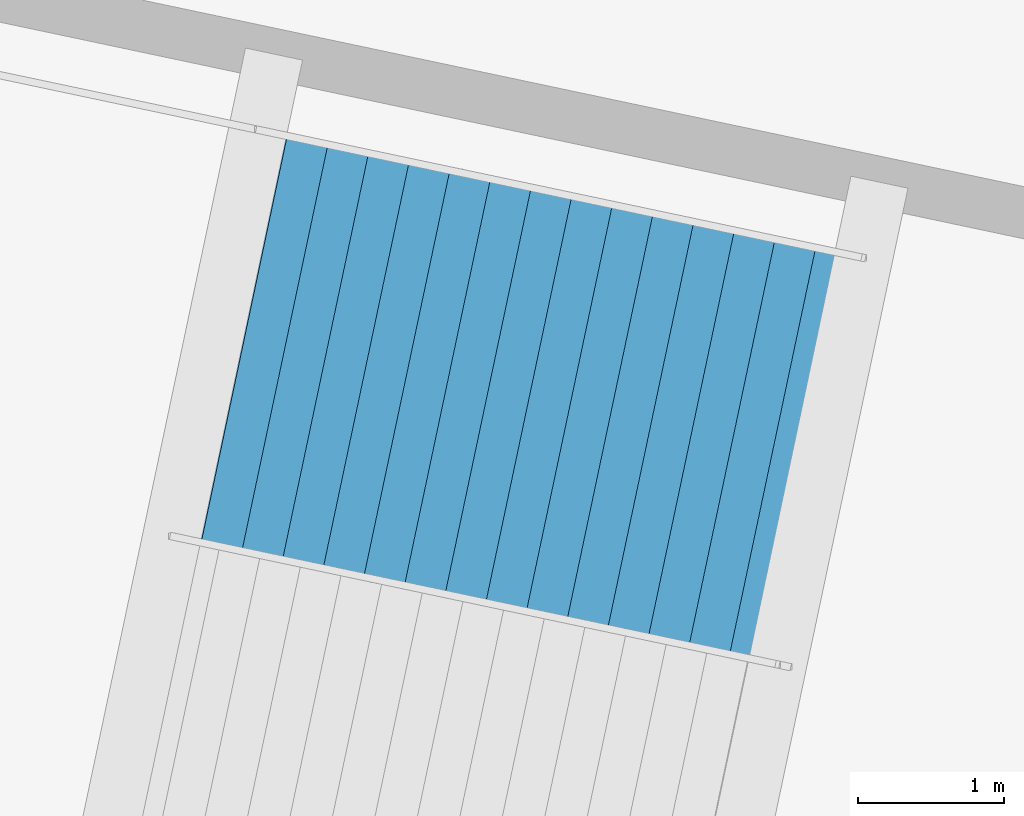
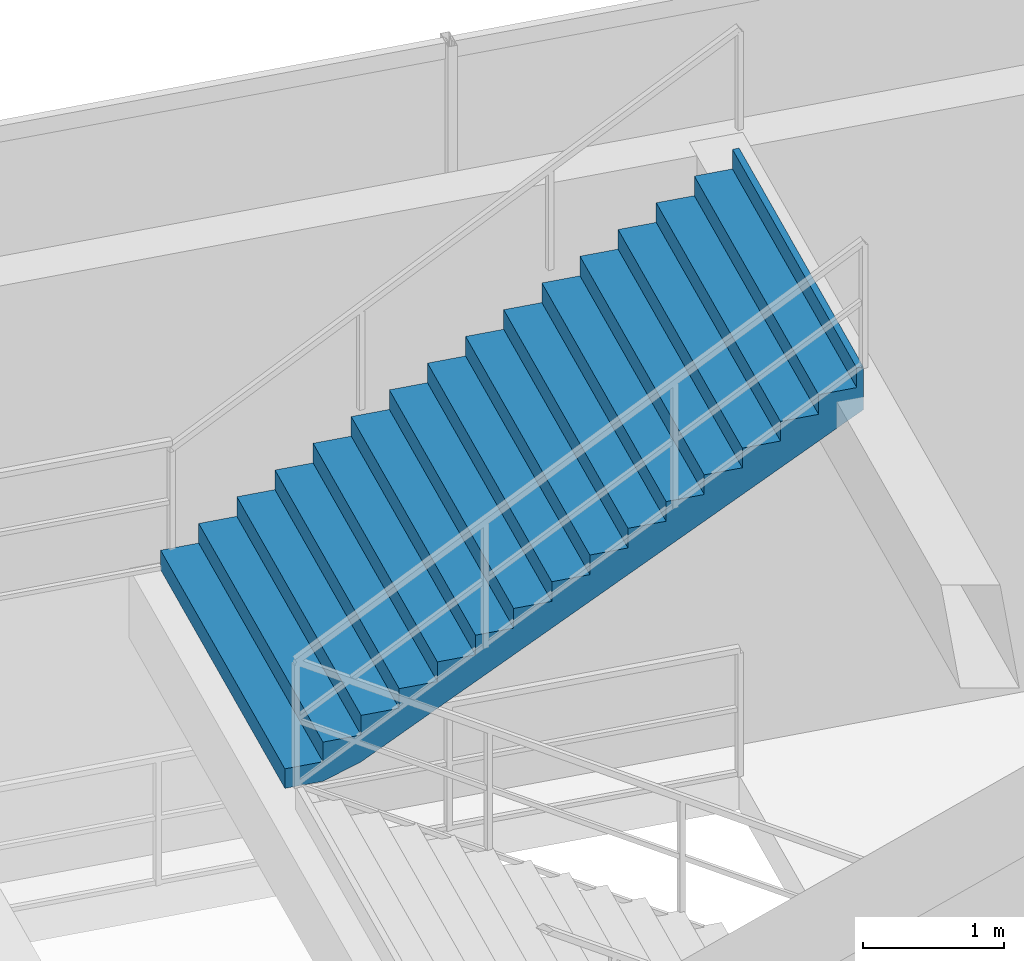
# One storey, part 168 of 186: 1 stair flight, 1 element without a shape of its own.
"""IFC4 building model written with IfcOpenShell, lengths in metres."""

from ifc_helpers import new_model, si_unit, direction, frame, origin, place, context, subcontext, project, spatial, polygons, material, type_object, element, aggregate, save


model = new_model("IFC4")

# Units and contexts
model_context = context("Model", 3, precision=1e-05, world=origin(), true_north=direction((0.0, 1.0)))
body_context = subcontext(model_context, "Body", "Model", "MODEL_VIEW")
ifc_project = project(units=[si_unit("LENGTHUNIT", "METRE"), si_unit("AREAUNIT", "SQUARE_METRE"), si_unit("VOLUMEUNIT", "CUBIC_METRE"), si_unit("PLANEANGLEUNIT", "RADIAN"), si_unit("MASSUNIT", "GRAM", prefix="KILO")], contexts=[model_context])

# Site, building, storey
site_placement = place(None, origin())
site = spatial("IfcSite", under=ifc_project, at=site_placement, CompositionType="ELEMENT")
building_placement = place(site_placement, origin())
building = spatial("IfcBuilding", under=site, at=building_placement, Name="Kazemori Nagisa Stadium", CompositionType="ELEMENT")
storey_placement = place(building_placement, frame((0.0, 0.0, 20.39990234375)))
storey = spatial("IfcBuildingStorey", under=building, at=storey_placement, Name="L04", CompositionType="ELEMENT", Elevation=20.39990234375)

# Stair, stair flight
ifc_material = material(Name="Concrete C36/45 (Fc36)", Category="concrete")
stair_type = type_object("IfcStairType", Name="Stair_CORE_32", PredefinedType="TWO_STRAIGHT_RUN_STAIR", material=ifc_material)
stair_placement = place(storey_placement, origin())
stair = element("IfcStair", 1, at=stair_placement, inside=storey, type_object=stair_type, Name="Exit stair ST11 L04", PredefinedType="TWO_STRAIGHT_RUN_STAIR")
stair_flight_type = type_object("IfcStairFlightType", Name="Flight_CORE_16", PredefinedType="STRAIGHT", material=ifc_material)
stair_flight_placement = place(storey_placement, frame((154.5322265625, 180.1640625, 2.72021484375), z_axis=(0.0, 0.0, 1.0), x_axis=(0.978350592558, -0.206954386378, 0.0)))
stair_flight = element("IfcStairFlight", 2, at=stair_flight_placement, type_object=stair_flight_type, Name="Exit stair ST11 L04 flight 2", NumberOfRisers=16, NumberOfTreads=15, PredefinedType="STRAIGHT", RiserHeight=0.17, TreadLength=0.285, context=body_context, shape_type="Tessellation", body=[
    polygons([(0.0, -1.425048828125, 0.0), (0.0, -1.425048828125, 0.169921875), (0.284912109375, -1.425048828125, 0.169921875), (0.284912109375, -1.425048828125, 0.340087890625), (0.570068359375, -1.425048828125, 0.340087890625), (0.570068359375, -1.425048828125, 0.510009765625), (0.85498046875, -1.425048828125, 0.510009765625), (0.85498046875, -1.425048828125, 0.679931640625), (1.139892578125, -1.425048828125, 0.679931640625), (1.139892578125, -1.425048828125, 0.85009765625), (1.425048828125, -1.425048828125, 0.85009765625), (1.425048828125, -1.425048828125, 1.02001953125), (1.7099609375, -1.425048828125, 1.02001953125), (1.7099609375, -1.425048828125, 1.18994140625), (1.9951171875, -1.425048828125, 1.18994140625), (1.9951171875, -1.425048828125, 1.360107421875), (2.280029296875, -1.425048828125, 1.360107421875), (2.280029296875, -1.425048828125, 1.530029296875), (2.56494140625, -1.425048828125, 1.530029296875), (2.56494140625, -1.425048828125, 1.699951171875), (2.85009765625, -1.425048828125, 1.699951171875), (2.85009765625, -1.425048828125, 1.8701171875), (3.135009765625, -1.425048828125, 1.8701171875), (3.135009765625, -1.425048828125, 2.0400390625), (3.419921875, -1.425048828125, 2.0400390625), (3.419921875, -1.425048828125, 2.2099609375), (3.705078125, -1.425048828125, 2.2099609375), (3.705078125, -1.425048828125, 2.3798828125), (3.989990234375, -1.425048828125, 2.3798828125), (3.989990234375, -1.425048828125, 2.550048828125), (4.27490234375, -1.425048828125, 2.550048828125), (4.27490234375, -1.425048828125, 2.719970703125), (4.324951171875, -1.425048828125, 2.719970703125), (4.324951171875, -1.425048828125, 2.346923828125), (4.27490234375, -1.425048828125, 2.317138671875), (3.989990234375, -1.425048828125, 2.147216796875), (3.705078125, -1.425048828125, 1.977294921875), (3.419921875, -1.425048828125, 1.80712890625), (3.135009765625, -1.425048828125, 1.63720703125), (2.85009765625, -1.425048828125, 1.46728515625), (2.56494140625, -1.425048828125, 1.297119140625), (2.280029296875, -1.425048828125, 1.127197265625), (1.9951171875, -1.425048828125, 0.957275390625), (1.7099609375, -1.425048828125, 0.787109375), (1.425048828125, -1.425048828125, 0.6171875), (1.139892578125, -1.425048828125, 0.447265625), (0.85498046875, -1.425048828125, 0.277099609375), (0.570068359375, -1.425048828125, 0.107177734375), (0.284912109375, -1.425048828125, 0.0), (0.0, -0.08544921875, 0.0), (0.0, -0.08544921875, 0.169921875), (0.284912109375, -0.08544921875, 0.169921875), (0.284912109375, -0.08544921875, 0.340087890625), (0.570068359375, -0.08544921875, 0.340087890625), (0.570068359375, -0.08544921875, 0.510009765625), (0.85498046875, -0.08544921875, 0.510009765625), (0.85498046875, -0.08544921875, 0.679931640625), (1.139892578125, -0.08544921875, 0.679931640625), (1.139892578125, -0.08544921875, 0.85009765625), (1.425048828125, -0.08544921875, 0.85009765625), (1.425048828125, -0.08544921875, 1.02001953125), (1.7099609375, -0.08544921875, 1.02001953125), (1.7099609375, -0.08544921875, 1.18994140625), (1.9951171875, -0.08544921875, 1.18994140625), (1.9951171875, -0.08544921875, 1.360107421875), (2.280029296875, -0.08544921875, 1.360107421875), (2.280029296875, -0.08544921875, 1.530029296875), (2.56494140625, -0.08544921875, 1.530029296875), (2.56494140625, -0.08544921875, 1.699951171875), (2.85009765625, -0.08544921875, 1.699951171875), (2.85009765625, -0.08544921875, 1.8701171875), (3.135009765625, -0.08544921875, 1.8701171875), (3.135009765625, -0.08544921875, 2.0400390625), (3.419921875, -0.08544921875, 2.0400390625), (3.419921875, -0.08544921875, 2.2099609375), (3.705078125, -0.08544921875, 2.2099609375), (3.705078125, -0.08544921875, 2.3798828125), (3.989990234375, -0.08544921875, 2.3798828125), (3.989990234375, -0.08544921875, 2.550048828125), (4.27490234375, -0.08544921875, 2.550048828125), (4.27490234375, -0.08544921875, 2.719970703125), (4.324951171875, -0.08544921875, 2.719970703125), (4.324951171875, -0.08544921875, 2.346923828125), (4.27490234375, -0.08544921875, 2.317138671875), (3.989990234375, -0.08544921875, 2.147216796875), (3.705078125, -0.08544921875, 1.977294921875), (3.419921875, -0.08544921875, 1.80712890625), (3.135009765625, -0.08544921875, 1.63720703125), (2.85009765625, -0.08544921875, 1.46728515625), (2.56494140625, -0.08544921875, 1.297119140625), (2.280029296875, -0.08544921875, 1.127197265625), (1.9951171875, -0.08544921875, 0.957275390625), (1.7099609375, -0.08544921875, 0.787109375), (1.425048828125, -0.08544921875, 0.6171875), (1.139892578125, -0.08544921875, 0.447265625), (0.85498046875, -0.08544921875, 0.277099609375), (0.570068359375, -0.08544921875, 0.107177734375), (0.284912109375, -0.08544921875, 0.0), (0.0, 0.0, 0.0), (0.0, 0.0, 0.169921875), (0.284912109375, 0.0, 0.169921875), (0.284912109375, 0.0, 0.340087890625), (0.570068359375, 0.0, 0.340087890625), (0.570068359375, 0.0, 0.510009765625), (0.85498046875, 0.0, 0.510009765625), (0.85498046875, 0.0, 0.679931640625), (1.139892578125, 0.0, 0.679931640625), (1.139892578125, 0.0, 0.85009765625), (1.425048828125, 0.0, 0.85009765625), (1.425048828125, 0.0, 1.02001953125), (1.7099609375, 0.0, 1.02001953125), (1.7099609375, 0.0, 1.18994140625), (1.9951171875, 0.0, 1.18994140625), (1.9951171875, 0.0, 1.360107421875), (2.280029296875, 0.0, 1.360107421875), (2.280029296875, 0.0, 1.530029296875), (2.56494140625, 0.0, 1.530029296875), (2.56494140625, 0.0, 1.699951171875), (2.85009765625, 0.0, 1.699951171875), (2.85009765625, 0.0, 1.8701171875), (3.135009765625, 0.0, 1.8701171875), (3.135009765625, 0.0, 2.0400390625), (3.419921875, 0.0, 2.0400390625), (3.419921875, 0.0, 2.2099609375), (3.705078125, 0.0, 2.2099609375), (3.705078125, 0.0, 2.3798828125), (3.989990234375, 0.0, 2.3798828125), (3.989990234375, 0.0, 2.550048828125), (4.27490234375, 0.0, 2.550048828125), (4.27490234375, 0.0, 2.719970703125), (4.324951171875, 0.0, 2.719970703125), (4.324951171875, 0.0, 2.346923828125), (4.27490234375, 0.0, 2.317138671875), (3.989990234375, 0.0, 2.147216796875), (3.705078125, 0.0, 1.977294921875), (3.419921875, 0.0, 1.80712890625), (3.135009765625, 0.0, 1.63720703125), (2.85009765625, 0.0, 1.46728515625), (2.56494140625, 0.0, 1.297119140625), (2.280029296875, 0.0, 1.127197265625), (1.9951171875, 0.0, 0.957275390625), (1.7099609375, 0.0, 0.787109375), (1.425048828125, 0.0, 0.6171875), (1.139892578125, 0.0, 0.447265625), (0.85498046875, 0.0, 0.277099609375), (0.570068359375, 0.0, 0.107177734375), (0.284912109375, 0.0, 0.0), (0.0, 0.08544921875, 0.0), (0.0, 0.08544921875, 0.169921875), (0.284912109375, 0.08544921875, 0.169921875), (0.284912109375, 0.08544921875, 0.340087890625), (0.570068359375, 0.08544921875, 0.340087890625), (0.570068359375, 0.08544921875, 0.510009765625), (0.85498046875, 0.08544921875, 0.510009765625), (0.85498046875, 0.08544921875, 0.679931640625), (1.139892578125, 0.08544921875, 0.679931640625), (1.139892578125, 0.08544921875, 0.85009765625), (1.425048828125, 0.08544921875, 0.85009765625), (1.425048828125, 0.08544921875, 1.02001953125), (1.7099609375, 0.08544921875, 1.02001953125), (1.7099609375, 0.08544921875, 1.18994140625), (1.9951171875, 0.08544921875, 1.18994140625), (1.9951171875, 0.08544921875, 1.360107421875), (2.280029296875, 0.08544921875, 1.360107421875), (2.280029296875, 0.08544921875, 1.530029296875), (2.56494140625, 0.08544921875, 1.530029296875), (2.56494140625, 0.08544921875, 1.699951171875), (2.85009765625, 0.08544921875, 1.699951171875), (2.85009765625, 0.08544921875, 1.8701171875), (3.135009765625, 0.08544921875, 1.8701171875), (3.135009765625, 0.08544921875, 2.0400390625), (3.419921875, 0.08544921875, 2.0400390625), (3.419921875, 0.08544921875, 2.2099609375), (3.705078125, 0.08544921875, 2.2099609375), (3.705078125, 0.08544921875, 2.3798828125), (3.989990234375, 0.08544921875, 2.3798828125), (3.989990234375, 0.08544921875, 2.550048828125), (4.27490234375, 0.08544921875, 2.550048828125), (4.27490234375, 0.08544921875, 2.719970703125), (4.324951171875, 0.08544921875, 2.719970703125), (4.324951171875, 0.08544921875, 2.346923828125), (4.27490234375, 0.08544921875, 2.317138671875), (3.989990234375, 0.08544921875, 2.147216796875), (3.705078125, 0.08544921875, 1.977294921875), (3.419921875, 0.08544921875, 1.80712890625), (3.135009765625, 0.08544921875, 1.63720703125), (2.85009765625, 0.08544921875, 1.46728515625), (2.56494140625, 0.08544921875, 1.297119140625), (2.280029296875, 0.08544921875, 1.127197265625), (1.9951171875, 0.08544921875, 0.957275390625), (1.7099609375, 0.08544921875, 0.787109375), (1.425048828125, 0.08544921875, 0.6171875), (1.139892578125, 0.08544921875, 0.447265625), (0.85498046875, 0.08544921875, 0.277099609375), (0.570068359375, 0.08544921875, 0.107177734375), (0.284912109375, 0.08544921875, 0.0), (0.0, 1.425048828125, 0.0), (0.0, 1.425048828125, 0.169921875), (0.284912109375, 1.425048828125, 0.169921875), (0.284912109375, 1.425048828125, 0.340087890625), (0.570068359375, 1.425048828125, 0.340087890625), (0.570068359375, 1.425048828125, 0.510009765625), (0.85498046875, 1.425048828125, 0.510009765625), (0.85498046875, 1.425048828125, 0.679931640625), (1.139892578125, 1.425048828125, 0.679931640625), (1.139892578125, 1.425048828125, 0.85009765625), (1.425048828125, 1.425048828125, 0.85009765625), (1.425048828125, 1.425048828125, 1.02001953125), (1.7099609375, 1.425048828125, 1.02001953125), (1.7099609375, 1.425048828125, 1.18994140625), (1.9951171875, 1.425048828125, 1.18994140625), (1.9951171875, 1.425048828125, 1.360107421875), (2.280029296875, 1.425048828125, 1.360107421875), (2.280029296875, 1.425048828125, 1.530029296875), (2.56494140625, 1.425048828125, 1.530029296875), (2.56494140625, 1.425048828125, 1.699951171875), (2.85009765625, 1.425048828125, 1.699951171875), (2.85009765625, 1.425048828125, 1.8701171875), (3.135009765625, 1.425048828125, 1.8701171875), (3.135009765625, 1.425048828125, 2.0400390625), (3.419921875, 1.425048828125, 2.0400390625), (3.419921875, 1.425048828125, 2.2099609375), (3.705078125, 1.425048828125, 2.2099609375), (3.705078125, 1.425048828125, 2.3798828125), (3.989990234375, 1.425048828125, 2.3798828125), (3.989990234375, 1.425048828125, 2.550048828125), (4.27490234375, 1.425048828125, 2.550048828125), (4.27490234375, 1.425048828125, 2.719970703125), (4.324951171875, 1.425048828125, 2.719970703125), (4.324951171875, 1.425048828125, 2.346923828125), (4.27490234375, 1.425048828125, 2.317138671875), (3.989990234375, 1.425048828125, 2.147216796875), (3.705078125, 1.425048828125, 1.977294921875), (3.419921875, 1.425048828125, 1.80712890625), (3.135009765625, 1.425048828125, 1.63720703125), (2.85009765625, 1.425048828125, 1.46728515625), (2.56494140625, 1.425048828125, 1.297119140625), (2.280029296875, 1.425048828125, 1.127197265625), (1.9951171875, 1.425048828125, 0.957275390625), (1.7099609375, 1.425048828125, 0.787109375), (1.425048828125, 1.425048828125, 0.6171875), (1.139892578125, 1.425048828125, 0.447265625), (0.85498046875, 1.425048828125, 0.277099609375), (0.570068359375, 1.425048828125, 0.107177734375), (0.284912109375, 1.425048828125, 0.0)], [[[1, 2, 51]], [[1, 51, 50]], [[2, 3, 52]], [[2, 52, 51]], [[3, 4, 53]], [[3, 53, 52]], [[4, 5, 54]], [[4, 54, 53]], [[5, 6, 55]], [[5, 55, 54]], [[6, 7, 56]], [[6, 56, 55]], [[7, 8, 57]], [[7, 57, 56]], [[8, 9, 58]], [[8, 58, 57]], [[9, 10, 59]], [[9, 59, 58]], [[10, 11, 60]], [[10, 60, 59]], [[11, 12, 61]], [[11, 61, 60]], [[12, 13, 62]], [[12, 62, 61]], [[13, 14, 63]], [[13, 63, 62]], [[14, 15, 64]], [[14, 64, 63]], [[15, 16, 65]], [[15, 65, 64]], [[16, 17, 66]], [[16, 66, 65]], [[17, 18, 67]], [[17, 67, 66]], [[18, 19, 68]], [[18, 68, 67]], [[19, 20, 69]], [[19, 69, 68]], [[20, 21, 70]], [[20, 70, 69]], [[21, 22, 71]], [[21, 71, 70]], [[22, 23, 72]], [[22, 72, 71]], [[23, 24, 73]], [[23, 73, 72]], [[24, 25, 74]], [[24, 74, 73]], [[25, 26, 75]], [[25, 75, 74]], [[26, 27, 76]], [[26, 76, 75]], [[27, 28, 77]], [[27, 77, 76]], [[28, 29, 78]], [[28, 78, 77]], [[29, 30, 79]], [[29, 79, 78]], [[30, 31, 80]], [[30, 80, 79]], [[31, 32, 81]], [[31, 81, 80]], [[32, 33, 82]], [[32, 82, 81]], [[33, 34, 83]], [[33, 83, 82]], [[34, 35, 84]], [[34, 84, 83]], [[35, 36, 85]], [[35, 85, 84]], [[36, 37, 86]], [[36, 86, 85]], [[37, 38, 87]], [[37, 87, 86]], [[38, 39, 88]], [[38, 88, 87]], [[39, 40, 89]], [[39, 89, 88]], [[40, 41, 90]], [[40, 90, 89]], [[41, 42, 91]], [[41, 91, 90]], [[42, 43, 92]], [[42, 92, 91]], [[43, 44, 93]], [[43, 93, 92]], [[44, 45, 94]], [[44, 94, 93]], [[45, 46, 95]], [[45, 95, 94]], [[46, 47, 96]], [[46, 96, 95]], [[47, 48, 97]], [[47, 97, 96]], [[48, 49, 98]], [[48, 98, 97]], [[49, 1, 50]], [[49, 50, 98]], [[50, 51, 100]], [[50, 100, 99]], [[51, 52, 101]], [[51, 101, 100]], [[52, 53, 102]], [[52, 102, 101]], [[53, 54, 103]], [[53, 103, 102]], [[54, 55, 104]], [[54, 104, 103]], [[55, 56, 105]], [[55, 105, 104]], [[56, 57, 106]], [[56, 106, 105]], [[57, 58, 107]], [[57, 107, 106]], [[58, 59, 108]], [[58, 108, 107]], [[59, 60, 109]], [[59, 109, 108]], [[60, 61, 110]], [[60, 110, 109]], [[61, 62, 111]], [[61, 111, 110]], [[62, 63, 112]], [[62, 112, 111]], [[63, 64, 113]], [[63, 113, 112]], [[64, 65, 114]], [[64, 114, 113]], [[65, 66, 115]], [[65, 115, 114]], [[66, 67, 116]], [[66, 116, 115]], [[67, 68, 117]], [[67, 117, 116]], [[68, 69, 118]], [[68, 118, 117]], [[69, 70, 119]], [[69, 119, 118]], [[70, 71, 120]], [[70, 120, 119]], [[71, 72, 121]], [[71, 121, 120]], [[72, 73, 122]], [[72, 122, 121]], [[73, 74, 123]], [[73, 123, 122]], [[74, 75, 124]], [[74, 124, 123]], [[75, 76, 125]], [[75, 125, 124]], [[76, 77, 126]], [[76, 126, 125]], [[77, 78, 127]], [[77, 127, 126]], [[78, 79, 128]], [[78, 128, 127]], [[79, 80, 129]], [[79, 129, 128]], [[80, 81, 130]], [[80, 130, 129]], [[81, 82, 131]], [[81, 131, 130]], [[82, 83, 132]], [[82, 132, 131]], [[83, 84, 133]], [[83, 133, 132]], [[84, 85, 134]], [[84, 134, 133]], [[85, 86, 135]], [[85, 135, 134]], [[86, 87, 136]], [[86, 136, 135]], [[87, 88, 137]], [[87, 137, 136]], [[88, 89, 138]], [[88, 138, 137]], [[89, 90, 139]], [[89, 139, 138]], [[90, 91, 140]], [[90, 140, 139]], [[91, 92, 141]], [[91, 141, 140]], [[92, 93, 142]], [[92, 142, 141]], [[93, 94, 143]], [[93, 143, 142]], [[94, 95, 144]], [[94, 144, 143]], [[95, 96, 145]], [[95, 145, 144]], [[96, 97, 146]], [[96, 146, 145]], [[97, 98, 147]], [[97, 147, 146]], [[98, 50, 99]], [[98, 99, 147]], [[99, 100, 149]], [[99, 149, 148]], [[100, 101, 150]], [[100, 150, 149]], [[101, 102, 151]], [[101, 151, 150]], [[102, 103, 152]], [[102, 152, 151]], [[103, 104, 153]], [[103, 153, 152]], [[104, 105, 154]], [[104, 154, 153]], [[105, 106, 155]], [[105, 155, 154]], [[106, 107, 156]], [[106, 156, 155]], [[107, 108, 157]], [[107, 157, 156]], [[108, 109, 158]], [[108, 158, 157]], [[109, 110, 159]], [[109, 159, 158]], [[110, 111, 160]], [[110, 160, 159]], [[111, 112, 161]], [[111, 161, 160]], [[112, 113, 162]], [[112, 162, 161]], [[113, 114, 163]], [[113, 163, 162]], [[114, 115, 164]], [[114, 164, 163]], [[115, 116, 165]], [[115, 165, 164]], [[116, 117, 166]], [[116, 166, 165]], [[117, 118, 167]], [[117, 167, 166]], [[118, 119, 168]], [[118, 168, 167]], [[119, 120, 169]], [[119, 169, 168]], [[120, 121, 170]], [[120, 170, 169]], [[121, 122, 171]], [[121, 171, 170]], [[122, 123, 172]], [[122, 172, 171]], [[123, 124, 173]], [[123, 173, 172]], [[124, 125, 174]], [[124, 174, 173]], [[125, 126, 175]], [[125, 175, 174]], [[126, 127, 176]], [[126, 176, 175]], [[127, 128, 177]], [[127, 177, 176]], [[128, 129, 178]], [[128, 178, 177]], [[129, 130, 179]], [[129, 179, 178]], [[130, 131, 180]], [[130, 180, 179]], [[131, 132, 181]], [[131, 181, 180]], [[132, 133, 182]], [[132, 182, 181]], [[133, 134, 183]], [[133, 183, 182]], [[134, 135, 184]], [[134, 184, 183]], [[135, 136, 185]], [[135, 185, 184]], [[136, 137, 186]], [[136, 186, 185]], [[137, 138, 187]], [[137, 187, 186]], [[138, 139, 188]], [[138, 188, 187]], [[139, 140, 189]], [[139, 189, 188]], [[140, 141, 190]], [[140, 190, 189]], [[141, 142, 191]], [[141, 191, 190]], [[142, 143, 192]], [[142, 192, 191]], [[143, 144, 193]], [[143, 193, 192]], [[144, 145, 194]], [[144, 194, 193]], [[145, 146, 195]], [[145, 195, 194]], [[146, 147, 196]], [[146, 196, 195]], [[147, 99, 148]], [[147, 148, 196]], [[148, 149, 198]], [[148, 198, 197]], [[149, 150, 199]], [[149, 199, 198]], [[150, 151, 200]], [[150, 200, 199]], [[151, 152, 201]], [[151, 201, 200]], [[152, 153, 202]], [[152, 202, 201]], [[153, 154, 203]], [[153, 203, 202]], [[154, 155, 204]], [[154, 204, 203]], [[155, 156, 205]], [[155, 205, 204]], [[156, 157, 206]], [[156, 206, 205]], [[157, 158, 207]], [[157, 207, 206]], [[158, 159, 208]], [[158, 208, 207]], [[159, 160, 209]], [[159, 209, 208]], [[160, 161, 210]], [[160, 210, 209]], [[161, 162, 211]], [[161, 211, 210]], [[162, 163, 212]], [[162, 212, 211]], [[163, 164, 213]], [[163, 213, 212]], [[164, 165, 214]], [[164, 214, 213]], [[165, 166, 215]], [[165, 215, 214]], [[166, 167, 216]], [[166, 216, 215]], [[167, 168, 217]], [[167, 217, 216]], [[168, 169, 218]], [[168, 218, 217]], [[169, 170, 219]], [[169, 219, 218]], [[170, 171, 220]], [[170, 220, 219]], [[171, 172, 221]], [[171, 221, 220]], [[172, 173, 222]], [[172, 222, 221]], [[173, 174, 223]], [[173, 223, 222]], [[174, 175, 224]], [[174, 224, 223]], [[175, 176, 225]], [[175, 225, 224]], [[176, 177, 226]], [[176, 226, 225]], [[177, 178, 227]], [[177, 227, 226]], [[178, 179, 228]], [[178, 228, 227]], [[179, 180, 229]], [[179, 229, 228]], [[180, 181, 230]], [[180, 230, 229]], [[181, 182, 231]], [[181, 231, 230]], [[182, 183, 232]], [[182, 232, 231]], [[183, 184, 233]], [[183, 233, 232]], [[184, 185, 234]], [[184, 234, 233]], [[185, 186, 235]], [[185, 235, 234]], [[186, 187, 236]], [[186, 236, 235]], [[187, 188, 237]], [[187, 237, 236]], [[188, 189, 238]], [[188, 238, 237]], [[189, 190, 239]], [[189, 239, 238]], [[190, 191, 240]], [[190, 240, 239]], [[191, 192, 241]], [[191, 241, 240]], [[192, 193, 242]], [[192, 242, 241]], [[193, 194, 243]], [[193, 243, 242]], [[194, 195, 244]], [[194, 244, 243]], [[195, 196, 245]], [[195, 245, 244]], [[196, 148, 197]], [[196, 197, 245]], [[3, 2, 1]], [[197, 198, 199]], [[49, 3, 1]], [[197, 199, 245]], [[48, 3, 49]], [[245, 199, 244]], [[5, 3, 48]], [[244, 199, 201]], [[5, 4, 3]], [[199, 200, 201]], [[47, 5, 48]], [[244, 201, 243]], [[7, 5, 47]], [[243, 201, 203]], [[7, 6, 5]], [[201, 202, 203]], [[46, 7, 47]], [[243, 203, 242]], [[9, 7, 46]], [[242, 203, 205]], [[9, 8, 7]], [[203, 204, 205]], [[45, 9, 46]], [[242, 205, 241]], [[11, 9, 45]], [[241, 205, 207]], [[11, 10, 9]], [[205, 206, 207]], [[44, 11, 45]], [[241, 207, 240]], [[13, 11, 44]], [[240, 207, 209]], [[13, 12, 11]], [[207, 208, 209]], [[43, 13, 44]], [[240, 209, 239]], [[15, 13, 43]], [[239, 209, 211]], [[15, 14, 13]], [[209, 210, 211]], [[42, 15, 43]], [[239, 211, 238]], [[17, 15, 42]], [[238, 211, 213]], [[17, 16, 15]], [[211, 212, 213]], [[41, 17, 42]], [[238, 213, 237]], [[19, 17, 41]], [[237, 213, 215]], [[19, 18, 17]], [[213, 214, 215]], [[40, 19, 41]], [[237, 215, 236]], [[21, 19, 40]], [[236, 215, 217]], [[21, 20, 19]], [[215, 216, 217]], [[39, 21, 40]], [[236, 217, 235]], [[23, 21, 39]], [[235, 217, 219]], [[23, 22, 21]], [[217, 218, 219]], [[38, 23, 39]], [[235, 219, 234]], [[25, 23, 38]], [[234, 219, 221]], [[25, 24, 23]], [[219, 220, 221]], [[37, 25, 38]], [[234, 221, 233]], [[27, 25, 37]], [[233, 221, 223]], [[27, 26, 25]], [[221, 222, 223]], [[36, 27, 37]], [[233, 223, 232]], [[29, 27, 36]], [[232, 223, 225]], [[29, 28, 27]], [[223, 224, 225]], [[35, 29, 36]], [[232, 225, 231]], [[31, 29, 35]], [[231, 225, 227]], [[31, 30, 29]], [[225, 226, 227]], [[34, 31, 35]], [[231, 227, 230]], [[33, 31, 34]], [[230, 227, 229]], [[33, 32, 31]], [[227, 228, 229]]], closed=True),
])
aggregate(stair, [stair_flight])

save(model, "model.ifc")
